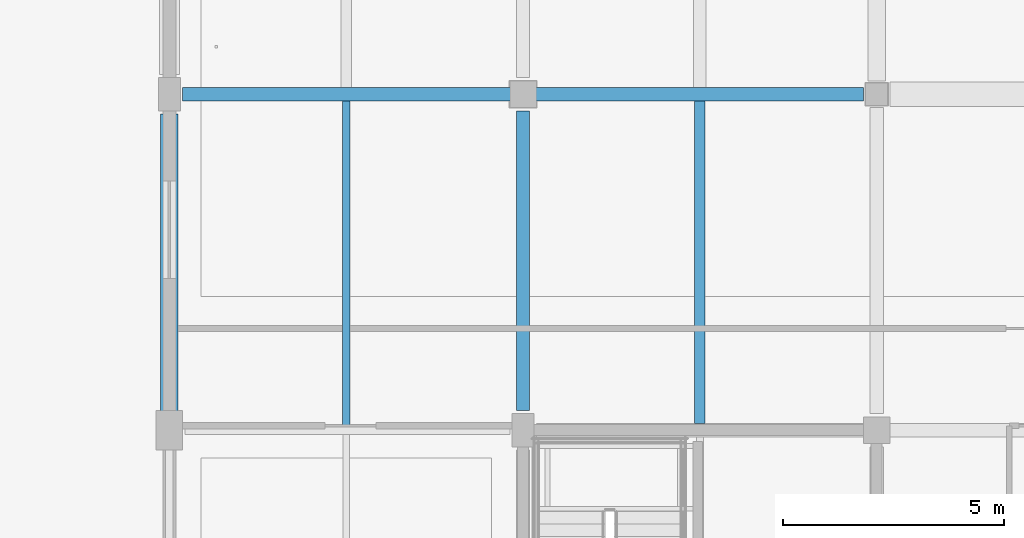
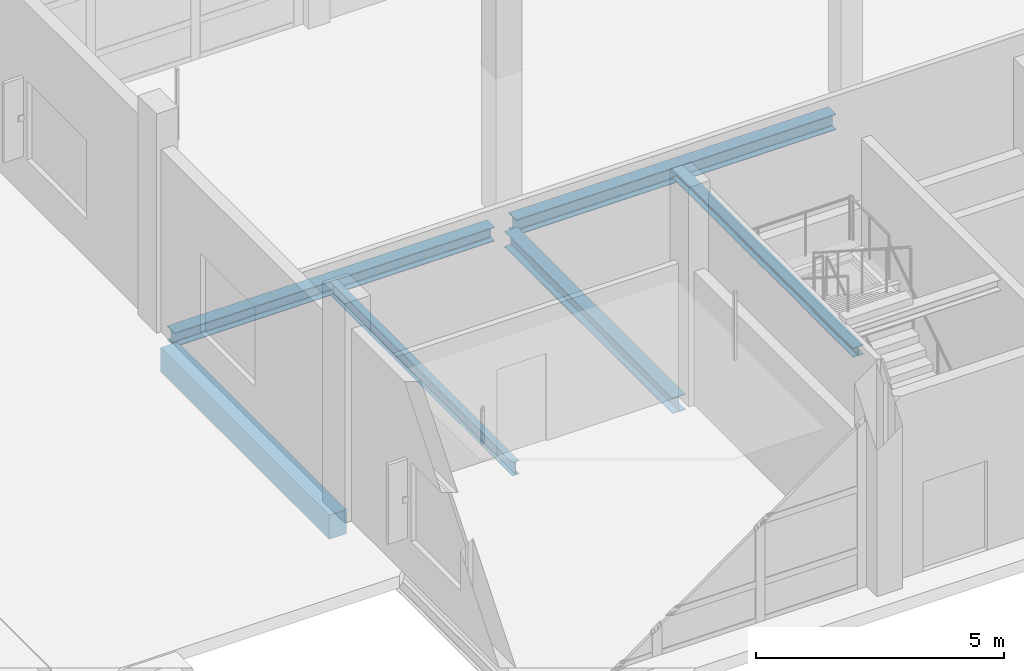
# One storey, part 15 of 126: 6 beams.
"""IFC4 building model written with IfcOpenShell, lengths in metres."""

from ifc_helpers import new_model, si_unit, direction, frame, origin, origin_2d, place, context, subcontext, project, spatial, rectangle, i_section, extrude, material, material_profile, profile_set, type_object, element, save


model = new_model("IFC4")

# Units and contexts
model_context = context("Model", 3, precision=1e-05, world=origin(), true_north=direction((0.0, 1.0)))
body_context = subcontext(model_context, "Body", "Model", "MODEL_VIEW")
ifc_project = project(units=[si_unit("LENGTHUNIT", "METRE"), si_unit("AREAUNIT", "SQUARE_METRE"), si_unit("VOLUMEUNIT", "CUBIC_METRE"), si_unit("PLANEANGLEUNIT", "RADIAN"), si_unit("MASSUNIT", "GRAM", prefix="KILO")], contexts=[model_context])

# Site, building, storey
site_placement = place(None, origin())
site = spatial("IfcSite", under=ifc_project, at=site_placement, CompositionType="ELEMENT")
building_placement = place(site_placement, origin())
building = spatial("IfcBuilding", under=site, at=building_placement, Name="Khelvaren Railside Concert Hall", CompositionType="ELEMENT")
storey_placement = place(building_placement, origin())
storey = spatial("IfcBuildingStorey", under=building, at=storey_placement, Name="L00", CompositionType="ELEMENT", Elevation=0.0)

# Beams
ifc_material_1 = material(Name="Steel S355", Category="steel")
ifc_material_profile_1 = material_profile(ifc_material_1, i_section(OverallWidth=0.300048828125, OverallDepth=0.389892578125, WebThickness=0.010986328125, FlangeThickness=0.01904296875, FilletRadius=0.027099609375, at=origin_2d()), Name="HEA 400")
ifc_profile_set_1 = profile_set([ifc_material_profile_1], Name="Steel S355")
beam_type_1 = type_object("IfcBeamType", Name="BM23", PredefinedType="BEAM", material=ifc_profile_set_1)
beam_1_placement = place(storey_placement, frame((72.25, 15.199951171875, -0.514892578125), z_axis=(1.0, 0.0, 0.0), x_axis=(0.0, 1.0, 0.0)))
element("IfcBeam", 1, at=beam_1_placement, inside=storey, type_object=beam_type_1, Name="V3 L00 Beam X3.2", PredefinedType="BEAM", context=body_context, shape_type="SweptSolid", body=[
    extrude(i_section(OverallWidth=0.300048828125, OverallDepth=0.389892578125, WebThickness=0.010986328125, FlangeThickness=0.01904296875, FilletRadius=0.027099609375, at=origin_2d()), origin(), (0.0, 0.0, 1.0), 7.449951171875),
])
beam_2_placement = place(storey_placement, frame((72.0, 8.050048828125, -0.514892578125), z_axis=(0.0, 1.0, 0.0), x_axis=(-1.0, 0.0, 0.0)))
element("IfcBeam", 2, at=beam_2_placement, inside=storey, type_object=beam_type_1, Name="V3 L00 Beam Y2.2", PredefinedType="BEAM", context=body_context, shape_type="SweptSolid", body=[
    extrude(i_section(OverallWidth=0.300048828125, OverallDepth=0.389892578125, WebThickness=0.010986328125, FlangeThickness=0.01904296875, FilletRadius=0.027099609375, at=origin_2d()), origin(), (0.0, 0.0, 1.0), 6.77490234375),
])
ifc_material_profile_2 = material_profile(ifc_material_1, i_section(OverallWidth=0.300048828125, OverallDepth=0.35009765625, WebThickness=0.010009765625, FlangeThickness=0.017578125, FilletRadius=0.027099609375, at=origin_2d()), Name="HEA 360")
ifc_profile_set_2 = profile_set([ifc_material_profile_2], Name="Steel S355")
beam_type_2 = type_object("IfcBeamType", Name="BM73", PredefinedType="BEAM", material=ifc_profile_set_2)
beam_3_placement = place(storey_placement, frame((64.300048828125, 15.199951171875, -0.4951171875), z_axis=(1.0, 0.0, 0.0), x_axis=(0.0, 1.0, 0.0)))
element("IfcBeam", 3, at=beam_3_placement, inside=storey, type_object=beam_type_2, Name="V3 L00 Beam X3.1", PredefinedType="BEAM", context=body_context, shape_type="SweptSolid", body=[
    extrude(i_section(OverallWidth=0.300048828125, OverallDepth=0.35009765625, WebThickness=0.010009765625, FlangeThickness=0.017578125, FilletRadius=0.027099609375, at=origin_2d()), origin(), (0.0, 0.0, 1.0), 7.449951171875),
])
ifc_material_profile_3 = material_profile(ifc_material_1, i_section(OverallWidth=0.159912109375, OverallDepth=0.330078125, WebThickness=0.007568359375, FlangeThickness=0.011474609375, FilletRadius=0.01806640625, at=origin_2d()), Name="IPE 330")
ifc_profile_set_3 = profile_set([ifc_material_profile_3], Name="Steel S355")
beam_type_3 = type_object("IfcBeamType", Name="JS65", PredefinedType="JOIST", material=ifc_profile_set_3)
beam_4_placement = place(storey_placement, frame((68.0, 7.699951171875, -0.485107421875), z_axis=(0.0, 1.0, 0.0), x_axis=(-1.0, 0.0, 0.0)))
element("IfcBeam", 4, at=beam_4_placement, inside=storey, type_object=beam_type_3, Name="V3 L00 Secondary Joist 1.2", PredefinedType="JOIST", context=body_context, shape_type="SweptSolid", body=[
    extrude(i_section(OverallWidth=0.159912109375, OverallDepth=0.330078125, WebThickness=0.007568359375, FlangeThickness=0.011474609375, FilletRadius=0.01806640625, at=origin_2d()), origin(), (0.0, 0.0, 1.0), 7.35009765625),
])
ifc_material_profile_4 = material_profile(ifc_material_1, i_section(OverallWidth=0.239990234375, OverallDepth=0.22998046875, WebThickness=0.007568359375, FlangeThickness=0.011962890625, FilletRadius=0.02099609375, at=origin_2d()), Name="HEA 240")
ifc_profile_set_4 = profile_set([ifc_material_profile_4], Name="Steel S355")
beam_type_4 = type_object("IfcBeamType", Name="JS76", PredefinedType="JOIST", material=ifc_profile_set_4)
beam_5_placement = place(storey_placement, frame((76.0, 7.75, -0.43505859375), z_axis=(0.0, 1.0, 0.0), x_axis=(-1.0, 0.0, 0.0)))
element("IfcBeam", 5, at=beam_5_placement, inside=storey, type_object=beam_type_4, Name="V3 L00 Secondary Joist 2.2", PredefinedType="JOIST", context=body_context, shape_type="SweptSolid", body=[
    extrude(i_section(OverallWidth=0.239990234375, OverallDepth=0.22998046875, WebThickness=0.007568359375, FlangeThickness=0.011962890625, FilletRadius=0.02099609375, at=origin_2d()), origin(), (0.0, 0.0, 1.0), 7.300048828125),
])
ifc_material_2 = material(Name="Concrete C40/50", Category="concrete")
ifc_material_profile_5 = material_profile(ifc_material_2, rectangle(XDim=0.39990234375, YDim=0.60009765625, at=origin_2d()), Name="RCB 400x600")
ifc_profile_set_5 = profile_set([ifc_material_profile_5], Name="Concrete C40/50")
beam_type_5 = type_object("IfcBeamType", Name="SP75", PredefinedType="SPANDREL", material=ifc_profile_set_5)
beam_6_placement = place(storey_placement, frame((64.0, 7.949951171875, -0.6201171875), z_axis=(0.0, 1.0, 0.0), x_axis=(-1.0, 0.0, 0.0)))
element("IfcBeam", 6, at=beam_6_placement, inside=storey, type_object=beam_type_5, Name="V3 L00 Spandrel Y1.2", PredefinedType="SPANDREL", context=body_context, shape_type="SweptSolid", body=[
    extrude(rectangle(XDim=0.39990234375, YDim=0.60009765625, at=origin_2d()), origin(), (0.0, 0.0, 1.0), 6.800048828125),
])

save(model, "model.ifc")
